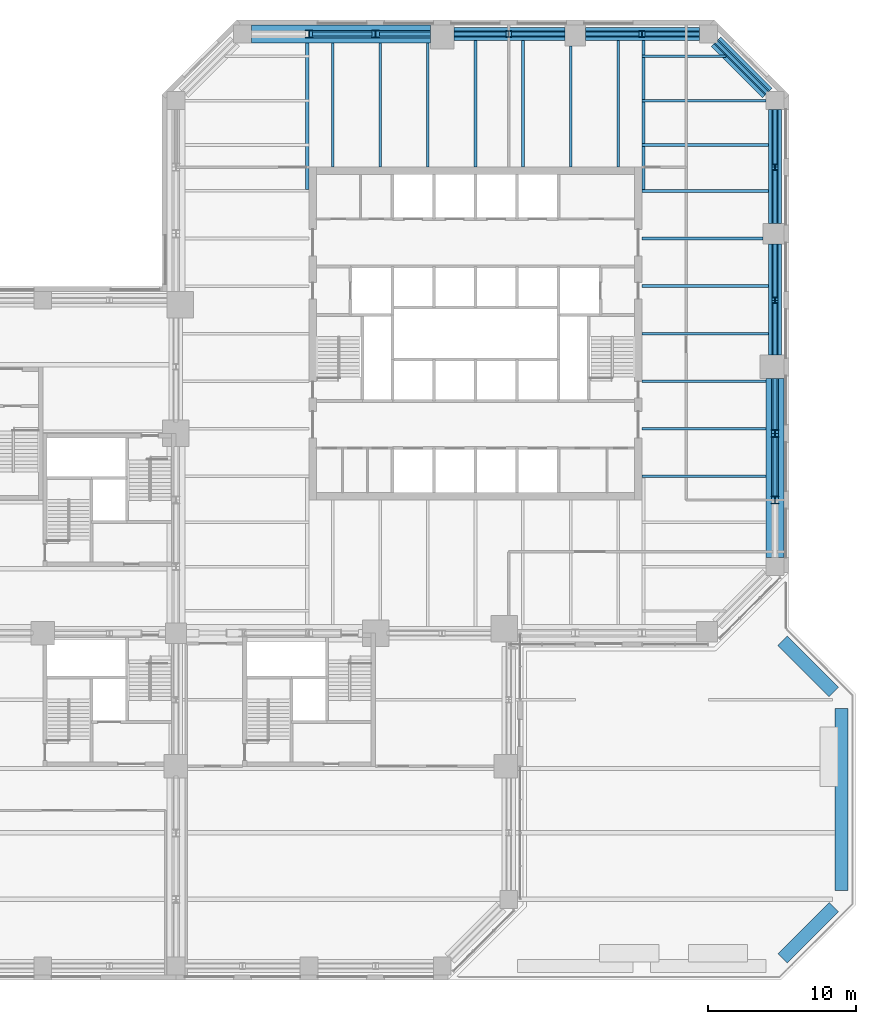
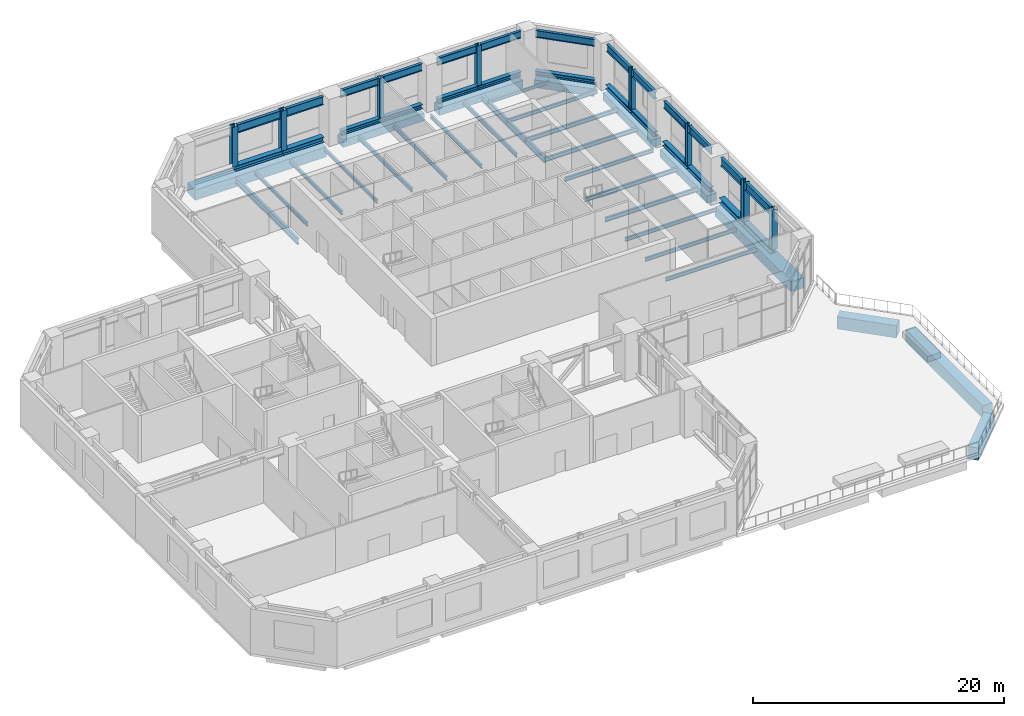
# One storey, part 9 of 21: 42 beams, 21 members.
"""IFC4 building model written with IfcOpenShell, lengths in metres."""

from ifc_helpers import new_model, si_unit, direction, frame, origin, origin_2d, place, context, subcontext, project, spatial, rectangle, i_section, extrude, material, material_profile, profile_set, type_object, element, save


model = new_model("IFC4")

# Units and contexts
model_context = context("Model", 3, precision=1e-05, world=origin(), true_north=direction((0.0, 1.0)))
body_context = subcontext(model_context, "Body", "Model", "MODEL_VIEW")
ifc_project = project(units=[si_unit("LENGTHUNIT", "METRE"), si_unit("AREAUNIT", "SQUARE_METRE"), si_unit("VOLUMEUNIT", "CUBIC_METRE"), si_unit("PLANEANGLEUNIT", "RADIAN"), si_unit("MASSUNIT", "GRAM", prefix="KILO")], contexts=[model_context])

# Site, building, storey
site_placement = place(None, origin())
site = spatial("IfcSite", under=ifc_project, at=site_placement, CompositionType="ELEMENT")
building_placement = place(site_placement, origin())
building = spatial("IfcBuilding", under=site, at=building_placement, Name="Quoin Convention Tower", CompositionType="ELEMENT")
storey_placement = place(building_placement, frame((0.0, 0.0, 18.5)))
storey = spatial("IfcBuildingStorey", under=building, at=storey_placement, Name="L03", CompositionType="ELEMENT", Elevation=18.5)

# Beams
ifc_material_1 = material(Name="Steel Grade 300", Category="steel")
ifc_material_profile_1 = material_profile(ifc_material_1, i_section(OverallWidth=0.14892578125, OverallDepth=0.298095703125, WebThickness=0.005615234375, FlangeThickness=0.008056640625, FilletRadius=0.012939453125, at=origin_2d()), Name="310UB32.0")
ifc_profile_set_1 = profile_set([ifc_material_profile_1], Name="Steel Grade 300")
beam_type_1 = type_object("IfcBeamType", Name="310UB32.0", PredefinedType="BEAM", material=ifc_profile_set_1)
beam_1_placement = place(storey_placement, frame((67.5, 79.5, -0.368896484375), z_axis=(1.0, 0.0, 0.0), x_axis=(0.0, 1.0, 0.0)))
element("IfcBeam", 1, at=beam_1_placement, inside=storey, type_object=beam_type_1, Name="bm-L03-T1NE0", PredefinedType="BEAM", context=body_context, shape_type="SweptSolid", body=[
    extrude(i_section(OverallWidth=0.14892578125, OverallDepth=0.298095703125, WebThickness=0.005615234375, FlangeThickness=0.008056640625, FilletRadius=0.012939453125, at=origin_2d()), origin(), (0.0, 0.0, 1.0), 5.68017578125),
])
ifc_material_profile_2 = material_profile(ifc_material_1, i_section(OverallWidth=0.1708984375, OverallDepth=0.35205078125, WebThickness=0.0068359375, FlangeThickness=0.009765625, FilletRadius=0.011474609375, at=origin_2d()), Name="360UB44.7")
ifc_profile_set_2 = profile_set([ifc_material_profile_2], Name="Steel Grade 300")
beam_type_2 = type_object("IfcBeamType", Name="360UB44.7", PredefinedType="BEAM", material=ifc_profile_set_2)
for number, where, z_axis, x_axis, name in (
    (2, (67.5, 51.107177734375, -0.39599609375), (1.0, 0.0, 0.0), (0.0, 1.0, 0.0), "bm-L03-T1E0"),
    (3, (67.5, 54.3212890625, -0.39599609375), (1.0, 0.0, 0.0), (0.0, 1.0, 0.0), "bm-L03-T1E1"),
    (4, (67.5, 57.53564453125, -0.39599609375), (1.0, 0.0, 0.0), (0.0, 1.0, 0.0), "bm-L03-T1E2"),
):
    element("IfcBeam", number, at=place(storey_placement, frame(where, z_axis=z_axis, x_axis=x_axis)), inside=storey, type_object=beam_type_2, Name=name, PredefinedType="BEAM", context=body_context, shape_type="SweptSolid", body=[
        extrude(i_section(OverallWidth=0.1708984375, OverallDepth=0.35205078125, WebThickness=0.0068359375, FlangeThickness=0.009765625, FilletRadius=0.011474609375, at=origin_2d()), origin(), (0.0, 0.0, 1.0), 8.39990234375),
    ])
beam_2_placement = place(storey_placement, frame((67.5, 67.1787109375, -0.39599609375), z_axis=(1.0, 0.0, 0.0), x_axis=(0.0, 1.0, 0.0)))
element("IfcBeam", 5, at=beam_2_placement, inside=storey, type_object=beam_type_2, Name="bm-L03-T1E5", PredefinedType="BEAM", context=body_context, shape_type="SweptSolid", body=[
    extrude(i_section(OverallWidth=0.1708984375, OverallDepth=0.35205078125, WebThickness=0.0068359375, FlangeThickness=0.009765625, FilletRadius=0.011474609375, at=origin_2d()), origin(), (0.0, 0.0, 1.0), 8.199951171875),
])
for number, where, z_axis, x_axis, name in (
    (6, (46.607177734375, 72.0, -0.39599609375), (0.0, 1.0, 0.0), (-1.0, 0.0, 0.0), "bm-L03-T1N0"),
    (7, (49.8212890625, 72.0, -0.39599609375), (0.0, 1.0, 0.0), (-1.0, 0.0, 0.0), "bm-L03-T1N1"),
    (8, (53.03564453125, 72.0, -0.39599609375), (0.0, 1.0, 0.0), (-1.0, 0.0, 0.0), "bm-L03-T1N2"),
):
    element("IfcBeam", number, at=place(storey_placement, frame(where, z_axis=z_axis, x_axis=x_axis)), inside=storey, type_object=beam_type_2, Name=name, PredefinedType="BEAM", context=body_context, shape_type="SweptSolid", body=[
        extrude(i_section(OverallWidth=0.1708984375, OverallDepth=0.35205078125, WebThickness=0.0068359375, FlangeThickness=0.009765625, FilletRadius=0.011474609375, at=origin_2d()), origin(), (0.0, 0.0, 1.0), 8.39990234375),
    ])
beam_3_placement = place(storey_placement, frame((62.6787109375, 72.0, -0.39599609375), z_axis=(0.0, 1.0, 0.0), x_axis=(-1.0, 0.0, 0.0)))
element("IfcBeam", 9, at=beam_3_placement, inside=storey, type_object=beam_type_2, Name="bm-L03-T1N5", PredefinedType="BEAM", context=body_context, shape_type="SweptSolid", body=[
    extrude(i_section(OverallWidth=0.1708984375, OverallDepth=0.35205078125, WebThickness=0.0068359375, FlangeThickness=0.009765625, FilletRadius=0.011474609375, at=origin_2d()), origin(), (0.0, 0.0, 1.0), 8.199951171875),
])
beam_4_placement = place(storey_placement, frame((67.5, 76.5, -0.39599609375), z_axis=(1.0, 0.0, 0.0), x_axis=(0.0, 1.0, 0.0)))
element("IfcBeam", 10, at=beam_4_placement, inside=storey, type_object=beam_type_2, Name="bm-L03-T1NE1", PredefinedType="BEAM", context=body_context, shape_type="SweptSolid", body=[
    extrude(i_section(OverallWidth=0.1708984375, OverallDepth=0.35205078125, WebThickness=0.0068359375, FlangeThickness=0.009765625, FilletRadius=0.011474609375, at=origin_2d()), origin(), (0.0, 0.0, 1.0), 8.39990234375),
])

# Members
ifc_material_profile_3 = material_profile(ifc_material_1, i_section(OverallWidth=0.39990234375, OverallDepth=0.422119140625, WebThickness=0.028076171875, FlangeThickness=0.035888671875, at=origin_2d()), Name="400WC303")
ifc_profile_set_3 = profile_set([ifc_material_profile_3], Name="Steel Grade 300")
member_type_1 = type_object("IfcMemberType", Name="400WC303", PredefinedType="CHORD", material=ifc_profile_set_3)
member_1_placement = place(storey_placement, frame((76.5, 59.300048828125, 0.257080078125), z_axis=(0.0, 1.0, 0.0), x_axis=(-1.0, 0.0, 0.0)))
element("IfcMember", 11, at=member_1_placement, inside=storey, type_object=member_type_1, Name="Transfer girder L03 bottom chord 76500_58500-76500_63000", PredefinedType="CHORD", context=body_context, shape_type="SweptSolid", body=[
    extrude(i_section(OverallWidth=0.39990234375, OverallDepth=0.422119140625, WebThickness=0.028076171875, FlangeThickness=0.035888671875, at=origin_2d()), origin(), (0.0, 0.0, 1.0), 3.699951171875),
])
for number, where, z_axis, x_axis, name in (
    (12, (76.5, 63.0, 0.257080078125), (0.0, 1.0, 0.0), (-1.0, 0.0, 0.0), "Transfer girder L03 bottom chord 76500_63000-76500_67500"),
    (13, (76.5, 68.199951171875, 0.257080078125), (0.0, 1.0, 0.0), (-1.0, 0.0, 0.0), "Transfer girder L03 bottom chord 76500_67500-76500_72000"),
):
    element("IfcMember", number, at=place(storey_placement, frame(where, z_axis=z_axis, x_axis=x_axis)), inside=storey, type_object=member_type_1, Name=name, PredefinedType="CHORD", context=body_context, shape_type="SweptSolid", body=[
        extrude(i_section(OverallWidth=0.39990234375, OverallDepth=0.422119140625, WebThickness=0.028076171875, FlangeThickness=0.035888671875, at=origin_2d()), origin(), (0.0, 0.0, 1.0), 3.800048828125),
    ])
member_2_placement = place(storey_placement, frame((76.5, 72.0, 0.257080078125), z_axis=(0.0, 1.0, 0.0), x_axis=(-1.0, 0.0, 0.0)))
element("IfcMember", 14, at=member_2_placement, inside=storey, type_object=member_type_1, Name="Transfer girder L03 bottom chord 76500_72000-76500_76500", PredefinedType="CHORD", context=body_context, shape_type="SweptSolid", body=[
    extrude(i_section(OverallWidth=0.39990234375, OverallDepth=0.422119140625, WebThickness=0.028076171875, FlangeThickness=0.035888671875, at=origin_2d()), origin(), (0.0, 0.0, 1.0), 3.89990234375),
])
member_3_placement = place(storey_placement, frame((75.98486328125, 77.01513671875, 0.257080078125), z_axis=(-0.707106781187, 0.707106781187, 0.0), x_axis=(-0.707106781187, -0.707106781187, 0.0)))
element("IfcMember", 15, at=member_3_placement, inside=storey, type_object=member_type_1, Name="Transfer girder L03 bottom chord 76500_76500-72000_81000", PredefinedType="CHORD", context=body_context, shape_type="SweptSolid", body=[
    extrude(i_section(OverallWidth=0.39990234375, OverallDepth=0.422119140625, WebThickness=0.028076171875, FlangeThickness=0.035888671875, at=origin_2d()), origin(), (0.0, 0.0, 1.0), 4.906982421875),
])
member_4_placement = place(storey_placement, frame((71.39990234375, 81.0, 0.257080078125), z_axis=(-1.0, 0.0, 0.0), x_axis=(0.0, -1.0, 0.0)))
element("IfcMember", 16, at=member_4_placement, inside=storey, type_object=member_type_1, Name="Transfer girder L03 bottom chord 72000_81000-67500_81000", PredefinedType="CHORD", context=body_context, shape_type="SweptSolid", body=[
    extrude(i_section(OverallWidth=0.39990234375, OverallDepth=0.422119140625, WebThickness=0.028076171875, FlangeThickness=0.035888671875, at=origin_2d()), origin(), (0.0, 0.0, 1.0), 3.89990234375),
])
for number, where, z_axis, x_axis, name in (
    (17, (67.5, 81.0, 0.257080078125), (-1.0, 0.0, 0.0), (0.0, -1.0, 0.0), "Transfer girder L03 bottom chord 67500_81000-63000_81000"),
    (18, (62.300048828125, 81.0, 0.257080078125), (-1.0, 0.0, 0.0), (0.0, -1.0, 0.0), "Transfer girder L03 bottom chord 63000_81000-58500_81000"),
):
    element("IfcMember", number, at=place(storey_placement, frame(where, z_axis=z_axis, x_axis=x_axis)), inside=storey, type_object=member_type_1, Name=name, PredefinedType="CHORD", context=body_context, shape_type="SweptSolid", body=[
        extrude(i_section(OverallWidth=0.39990234375, OverallDepth=0.422119140625, WebThickness=0.028076171875, FlangeThickness=0.035888671875, at=origin_2d()), origin(), (0.0, 0.0, 1.0), 3.800048828125),
    ])
member_5_placement = place(storey_placement, frame((58.5, 81.0, 0.257080078125), z_axis=(-1.0, 0.0, 0.0), x_axis=(0.0, -1.0, 0.0)))
element("IfcMember", 19, at=member_5_placement, inside=storey, type_object=member_type_1, Name="Transfer girder L03 bottom chord 58500_81000-54000_81000", PredefinedType="CHORD", context=body_context, shape_type="SweptSolid", body=[
    extrude(i_section(OverallWidth=0.39990234375, OverallDepth=0.422119140625, WebThickness=0.028076171875, FlangeThickness=0.035888671875, at=origin_2d()), origin(), (0.0, 0.0, 1.0), 3.699951171875),
])
ifc_material_profile_4 = material_profile(ifc_material_1, i_section(OverallWidth=0.39990234375, OverallDepth=0.422119140625, WebThickness=0.028076171875, FlangeThickness=0.035888671875, at=origin_2d()), Name="400WC303")
ifc_profile_set_4 = profile_set([ifc_material_profile_4], Name="Steel Grade 300")
member_type_2 = type_object("IfcMemberType", Name="400WC303 transfer post", PredefinedType="POST", material=ifc_profile_set_4)
for number, where, z_axis, x_axis, name in (
    (20, (76.5, 63.0, 0.513916015625), (0.0, 0.0, 1.0), (1.0, 0.0, 0.0), "Transfer girder L03 post 76500_63000"),
    (21, (76.5, 72.0, 0.513916015625), (0.0, 0.0, 1.0), (1.0, 0.0, 0.0), "Transfer girder L03 post 76500_72000"),
    (22, (67.5, 81.0, 0.513916015625), (0.0, 0.0, 1.0), (1.0, 0.0, 0.0), "Transfer girder L03 post 67500_81000"),
    (23, (58.5, 81.0, 0.513916015625), (0.0, 0.0, 1.0), (1.0, 0.0, 0.0), "Transfer girder L03 post 58500_81000"),
):
    element("IfcMember", number, at=place(storey_placement, frame(where, z_axis=z_axis, x_axis=x_axis)), inside=storey, type_object=member_type_2, Name=name, PredefinedType="POST", context=body_context, shape_type="SweptSolid", body=[
        extrude(i_section(OverallWidth=0.39990234375, OverallDepth=0.422119140625, WebThickness=0.028076171875, FlangeThickness=0.035888671875, at=origin_2d()), origin(), (0.0, 0.0, 1.0), 3.865966796875),
    ])

# Beams
ifc_material_profile_5 = material_profile(ifc_material_1, i_section(OverallWidth=0.177978515625, OverallDepth=0.403076171875, WebThickness=0.007568359375, FlangeThickness=0.010986328125, FilletRadius=0.011474609375, at=origin_2d()), Name="410UB53.7")
ifc_profile_set_5 = profile_set([ifc_material_profile_5], Name="Steel Grade 300")
beam_type_3 = type_object("IfcBeamType", Name="410UB53.7", PredefinedType="BEAM", material=ifc_profile_set_5)
for number, where, z_axis, x_axis, name in (
    (24, (67.5, 60.75, -0.42138671875), (1.0, 0.0, 0.0), (0.0, 1.0, 0.0), "bm-L03-T1E3"),
    (25, (67.5, 63.96435546875, -0.42138671875), (1.0, 0.0, 0.0), (0.0, 1.0, 0.0), "bm-L03-T1E4"),
    (26, (67.5, 70.392822265625, -0.42138671875), (1.0, 0.0, 0.0), (0.0, 1.0, 0.0), "bm-L03-T1E6"),
    (27, (56.25, 72.0, -0.42138671875), (0.0, 1.0, 0.0), (-1.0, 0.0, 0.0), "bm-L03-T1N3"),
    (28, (59.46435546875, 72.0, -0.42138671875), (0.0, 1.0, 0.0), (-1.0, 0.0, 0.0), "bm-L03-T1N4"),
    (29, (65.892822265625, 72.0, -0.42138671875), (0.0, 1.0, 0.0), (-1.0, 0.0, 0.0), "bm-L03-T1N6"),
    (30, (67.5, 73.5, -0.42138671875), (1.0, 0.0, 0.0), (0.0, 1.0, 0.0), "bm-L03-T1NE2"),
):
    element("IfcBeam", number, at=place(storey_placement, frame(where, z_axis=z_axis, x_axis=x_axis)), inside=storey, type_object=beam_type_3, Name=name, PredefinedType="BEAM", context=body_context, shape_type="SweptSolid", body=[
        extrude(i_section(OverallWidth=0.177978515625, OverallDepth=0.403076171875, WebThickness=0.007568359375, FlangeThickness=0.010986328125, FilletRadius=0.011474609375, at=origin_2d()), origin(), (0.0, 0.0, 1.0), 8.550048828125),
    ])

# Members
ifc_material_profile_6 = material_profile(ifc_material_1, i_section(OverallWidth=0.5, OverallDepth=0.513916015625, WebThickness=0.02490234375, FlangeThickness=0.031982421875, at=origin_2d()), Name="500WC340")
ifc_profile_set_6 = profile_set([ifc_material_profile_6], Name="Steel Grade 300")
member_type_3 = type_object("IfcMemberType", Name="500WC340", PredefinedType="CHORD", material=ifc_profile_set_6)
member_6_placement = place(storey_placement, frame((76.5, 49.5, 0.257080078125), z_axis=(0.0, 1.0, 0.0), x_axis=(-1.0, 0.0, 0.0)))
element("IfcMember", 31, at=member_6_placement, inside=storey, type_object=member_type_3, Name="Transfer girder L03 bottom chord 76500_49500-76500_54000", PredefinedType="CHORD", context=body_context, shape_type="SweptSolid", body=[
    extrude(i_section(OverallWidth=0.5, OverallDepth=0.513916015625, WebThickness=0.02490234375, FlangeThickness=0.031982421875, at=origin_2d()), origin(), (0.0, 0.0, 1.0), 4.5),
])
for number, where, z_axis, x_axis, name in (
    (32, (76.5, 54.0, 0.257080078125), (0.0, 1.0, 0.0), (-1.0, 0.0, 0.0), "Transfer girder L03 bottom chord 76500_54000-76500_58500"),
    (33, (53.199951171875, 81.0, 0.257080078125), (-1.0, 0.0, 0.0), (0.0, -1.0, 0.0), "Transfer girder L03 bottom chord 54000_81000-49500_81000"),
):
    element("IfcMember", number, at=place(storey_placement, frame(where, z_axis=z_axis, x_axis=x_axis)), inside=storey, type_object=member_type_3, Name=name, PredefinedType="CHORD", context=body_context, shape_type="SweptSolid", body=[
        extrude(i_section(OverallWidth=0.5, OverallDepth=0.513916015625, WebThickness=0.02490234375, FlangeThickness=0.031982421875, at=origin_2d()), origin(), (0.0, 0.0, 1.0), 3.699951171875),
    ])
member_7_placement = place(storey_placement, frame((49.5, 81.0, 0.257080078125), z_axis=(-1.0, 0.0, 0.0), x_axis=(0.0, -1.0, 0.0)))
element("IfcMember", 34, at=member_7_placement, inside=storey, type_object=member_type_3, Name="Transfer girder L03 bottom chord 49500_81000-45000_81000", PredefinedType="CHORD", context=body_context, shape_type="SweptSolid", body=[
    extrude(i_section(OverallWidth=0.5, OverallDepth=0.513916015625, WebThickness=0.02490234375, FlangeThickness=0.031982421875, at=origin_2d()), origin(), (0.0, 0.0, 1.0), 4.5),
])
ifc_material_profile_7 = material_profile(ifc_material_1, i_section(OverallWidth=0.5, OverallDepth=0.513916015625, WebThickness=0.02490234375, FlangeThickness=0.031982421875, at=origin_2d()), Name="500WC340")
ifc_profile_set_7 = profile_set([ifc_material_profile_7], Name="Steel Grade 300")
member_type_4 = type_object("IfcMemberType", Name="500WC340 transfer post", PredefinedType="POST", material=ifc_profile_set_7)
for number, where, z_axis, x_axis, name in (
    (35, (76.5, 49.5, 0.513916015625), (0.0, 0.0, 1.0), (1.0, 0.0, 0.0), "Transfer girder L03 post 76500_49500"),
    (36, (76.5, 54.0, 0.513916015625), (0.0, 0.0, 1.0), (1.0, 0.0, 0.0), "Transfer girder L03 post 76500_54000"),
    (37, (49.5, 81.0, 0.513916015625), (0.0, 0.0, 1.0), (1.0, 0.0, 0.0), "Transfer girder L03 post 49500_81000"),
    (38, (45.0, 81.0, 0.513916015625), (0.0, 0.0, 1.0), (1.0, 0.0, 0.0), "Transfer girder L03 post 45000_81000"),
):
    element("IfcMember", number, at=place(storey_placement, frame(where, z_axis=z_axis, x_axis=x_axis)), inside=storey, type_object=member_type_4, Name=name, PredefinedType="POST", context=body_context, shape_type="SweptSolid", body=[
        extrude(i_section(OverallWidth=0.5, OverallDepth=0.513916015625, WebThickness=0.02490234375, FlangeThickness=0.031982421875, at=origin_2d()), origin(), (0.0, 0.0, 1.0), 3.865966796875),
    ])

# Beams
ifc_material_profile_8 = material_profile(ifc_material_1, i_section(OverallWidth=0.22802734375, OverallDepth=0.60205078125, WebThickness=0.010498046875, FlangeThickness=0.014892578125, FilletRadius=0.013916015625, at=origin_2d()), Name="610UB101")
ifc_profile_set_8 = profile_set([ifc_material_profile_8], Name="Steel Grade 300")
beam_type_4 = type_object("IfcBeamType", Name="610UB101", PredefinedType="BEAM", material=ifc_profile_set_8)
beam_5_placement = place(storey_placement, frame((44.885986328125, 80.39990234375, -0.52099609375), z_axis=(0.0, -1.0, 0.0), x_axis=(1.0, 0.0, 0.0)))
element("IfcBeam", 39, at=beam_5_placement, inside=storey, type_object=beam_type_4, Name="gir-L03-T1NW", PredefinedType="BEAM", context=body_context, shape_type="SweptSolid", body=[
    extrude(i_section(OverallWidth=0.22802734375, OverallDepth=0.60205078125, WebThickness=0.010498046875, FlangeThickness=0.014892578125, FilletRadius=0.013916015625, at=origin_2d()), origin(), (0.0, 0.0, 1.0), 9.902587890625),
])
beam_6_placement = place(storey_placement, frame((67.614013671875, 80.550048828125, -0.52099609375), z_axis=(0.0, -1.0, 0.0), x_axis=(1.0, 0.0, 0.0)))
element("IfcBeam", 40, at=beam_6_placement, inside=storey, type_object=beam_type_4, Name="gir-L03-T1NE", PredefinedType="BEAM", context=body_context, shape_type="SweptSolid", body=[
    extrude(i_section(OverallWidth=0.22802734375, OverallDepth=0.60205078125, WebThickness=0.010498046875, FlangeThickness=0.014892578125, FilletRadius=0.013916015625, at=origin_2d()), origin(), (0.0, 0.0, 1.0), 10.052734375),
])
ifc_material_profile_9 = material_profile(ifc_material_1, i_section(OverallWidth=0.25, OverallDepth=0.699951171875, WebThickness=0.010009765625, FlangeThickness=0.02001953125, at=origin_2d()), Name="700WB130")
ifc_profile_set_9 = profile_set([ifc_material_profile_9], Name="Steel Grade 300")
beam_type_5 = type_object("IfcBeamType", Name="700WB130", PredefinedType="BEAM", material=ifc_profile_set_9)
beam_7_placement = place(storey_placement, frame((76.5, 59.300048828125, 4.030029296875), z_axis=(0.0, 1.0, 0.0), x_axis=(-1.0, 0.0, 0.0)))
element("IfcBeam", 41, at=beam_7_placement, inside=storey, type_object=beam_type_5, Name="Transfer girder L03 top chord 76500_58500-76500_63000", PredefinedType="BEAM", context=body_context, shape_type="SweptSolid", body=[
    extrude(i_section(OverallWidth=0.25, OverallDepth=0.699951171875, WebThickness=0.010009765625, FlangeThickness=0.02001953125, at=origin_2d()), origin(), (0.0, 0.0, 1.0), 3.5),
])
for number, where, z_axis, x_axis, name in (
    (42, (76.5, 63.199951171875, 4.030029296875), (0.0, 1.0, 0.0), (-1.0, 0.0, 0.0), "Transfer girder L03 top chord 76500_63000-76500_67500"),
    (43, (76.5, 68.199951171875, 4.030029296875), (0.0, 1.0, 0.0), (-1.0, 0.0, 0.0), "Transfer girder L03 top chord 76500_67500-76500_72000"),
):
    element("IfcBeam", number, at=place(storey_placement, frame(where, z_axis=z_axis, x_axis=x_axis)), inside=storey, type_object=beam_type_5, Name=name, PredefinedType="BEAM", context=body_context, shape_type="SweptSolid", body=[
        extrude(i_section(OverallWidth=0.25, OverallDepth=0.699951171875, WebThickness=0.010009765625, FlangeThickness=0.02001953125, at=origin_2d()), origin(), (0.0, 0.0, 1.0), 3.60009765625),
    ])
beam_8_placement = place(storey_placement, frame((76.5, 72.199951171875, 4.030029296875), z_axis=(0.0, 1.0, 0.0), x_axis=(-1.0, 0.0, 0.0)))
element("IfcBeam", 44, at=beam_8_placement, inside=storey, type_object=beam_type_5, Name="Transfer girder L03 top chord 76500_72000-76500_76500", PredefinedType="BEAM", context=body_context, shape_type="SweptSolid", body=[
    extrude(i_section(OverallWidth=0.25, OverallDepth=0.699951171875, WebThickness=0.010009765625, FlangeThickness=0.02001953125, at=origin_2d()), origin(), (0.0, 0.0, 1.0), 3.699951171875),
])
beam_9_placement = place(storey_placement, frame((75.98486328125, 77.01513671875, 4.030029296875), z_axis=(-0.707106781187, 0.707106781187, 0.0), x_axis=(-0.707106781187, -0.707106781187, 0.0)))
element("IfcBeam", 45, at=beam_9_placement, inside=storey, type_object=beam_type_5, Name="Transfer girder L03 top chord 76500_76500-72000_81000", PredefinedType="BEAM", context=body_context, shape_type="SweptSolid", body=[
    extrude(i_section(OverallWidth=0.25, OverallDepth=0.699951171875, WebThickness=0.010009765625, FlangeThickness=0.02001953125, at=origin_2d()), origin(), (0.0, 0.0, 1.0), 4.906982421875),
])
beam_10_placement = place(storey_placement, frame((71.39990234375, 81.0, 4.030029296875), z_axis=(-1.0, 0.0, 0.0), x_axis=(0.0, -1.0, 0.0)))
element("IfcBeam", 46, at=beam_10_placement, inside=storey, type_object=beam_type_5, Name="Transfer girder L03 top chord 72000_81000-67500_81000", PredefinedType="BEAM", context=body_context, shape_type="SweptSolid", body=[
    extrude(i_section(OverallWidth=0.25, OverallDepth=0.699951171875, WebThickness=0.010009765625, FlangeThickness=0.02001953125, at=origin_2d()), origin(), (0.0, 0.0, 1.0), 3.699951171875),
])
for number, where, z_axis, x_axis, name in (
    (47, (67.300048828125, 81.0, 4.030029296875), (-1.0, 0.0, 0.0), (0.0, -1.0, 0.0), "Transfer girder L03 top chord 67500_81000-63000_81000"),
    (48, (62.300048828125, 81.0, 4.030029296875), (-1.0, 0.0, 0.0), (0.0, -1.0, 0.0), "Transfer girder L03 top chord 63000_81000-58500_81000"),
):
    element("IfcBeam", number, at=place(storey_placement, frame(where, z_axis=z_axis, x_axis=x_axis)), inside=storey, type_object=beam_type_5, Name=name, PredefinedType="BEAM", context=body_context, shape_type="SweptSolid", body=[
        extrude(i_section(OverallWidth=0.25, OverallDepth=0.699951171875, WebThickness=0.010009765625, FlangeThickness=0.02001953125, at=origin_2d()), origin(), (0.0, 0.0, 1.0), 3.60009765625),
    ])
beam_11_placement = place(storey_placement, frame((58.300048828125, 81.0, 4.030029296875), z_axis=(-1.0, 0.0, 0.0), x_axis=(0.0, -1.0, 0.0)))
element("IfcBeam", 49, at=beam_11_placement, inside=storey, type_object=beam_type_5, Name="Transfer girder L03 top chord 58500_81000-54000_81000", PredefinedType="BEAM", context=body_context, shape_type="SweptSolid", body=[
    extrude(i_section(OverallWidth=0.25, OverallDepth=0.699951171875, WebThickness=0.010009765625, FlangeThickness=0.02001953125, at=origin_2d()), origin(), (0.0, 0.0, 1.0), 3.5),
])
ifc_material_profile_10 = material_profile(ifc_material_1, i_section(OverallWidth=0.27490234375, OverallDepth=0.800048828125, WebThickness=0.010009765625, FlangeThickness=0.02001953125, at=origin_2d()), Name="800WB146")
ifc_profile_set_10 = profile_set([ifc_material_profile_10], Name="Steel Grade 300")
beam_type_6 = type_object("IfcBeamType", Name="800WB146", PredefinedType="BEAM", material=ifc_profile_set_10)
beam_12_placement = place(storey_placement, frame((76.5, 49.75, 3.97998046875), z_axis=(0.0, 1.0, 0.0), x_axis=(-1.0, 0.0, 0.0)))
element("IfcBeam", 50, at=beam_12_placement, inside=storey, type_object=beam_type_6, Name="Transfer girder L03 top chord 76500_49500-76500_54000", PredefinedType="BEAM", context=body_context, shape_type="SweptSolid", body=[
    extrude(i_section(OverallWidth=0.27490234375, OverallDepth=0.800048828125, WebThickness=0.010009765625, FlangeThickness=0.02001953125, at=origin_2d()), origin(), (0.0, 0.0, 1.0), 4.0),
])
for number, where, z_axis, x_axis, name in (
    (51, (76.5, 54.25, 3.97998046875), (0.0, 1.0, 0.0), (-1.0, 0.0, 0.0), "Transfer girder L03 top chord 76500_54000-76500_58500"),
    (52, (53.199951171875, 81.0, 3.97998046875), (-1.0, 0.0, 0.0), (0.0, -1.0, 0.0), "Transfer girder L03 top chord 54000_81000-49500_81000"),
):
    element("IfcBeam", number, at=place(storey_placement, frame(where, z_axis=z_axis, x_axis=x_axis)), inside=storey, type_object=beam_type_6, Name=name, PredefinedType="BEAM", context=body_context, shape_type="SweptSolid", body=[
        extrude(i_section(OverallWidth=0.27490234375, OverallDepth=0.800048828125, WebThickness=0.010009765625, FlangeThickness=0.02001953125, at=origin_2d()), origin(), (0.0, 0.0, 1.0), 3.449951171875),
    ])
beam_13_placement = place(storey_placement, frame((49.25, 81.0, 3.97998046875), z_axis=(-1.0, 0.0, 0.0), x_axis=(0.0, -1.0, 0.0)))
element("IfcBeam", 53, at=beam_13_placement, inside=storey, type_object=beam_type_6, Name="Transfer girder L03 top chord 49500_81000-45000_81000", PredefinedType="BEAM", context=body_context, shape_type="SweptSolid", body=[
    extrude(i_section(OverallWidth=0.27490234375, OverallDepth=0.800048828125, WebThickness=0.010009765625, FlangeThickness=0.02001953125, at=origin_2d()), origin(), (0.0, 0.0, 1.0), 4.0),
])
ifc_material_2 = material(Name="Concrete C80", Category="concrete")
ifc_material_profile_11 = material_profile(ifc_material_2, rectangle(XDim=1.199951171875, YDim=1.0, at=origin_2d()), Name="RC 1200x1000")
ifc_profile_set_11 = profile_set([ifc_material_profile_11], Name="Concrete C80")
beam_type_7 = type_object("IfcBeamType", Name="RC 1200x1000 C80", PredefinedType="SPANDREL", material=ifc_profile_set_11)
for number, where, z_axis, x_axis, name in (
    (54, (76.5, 45.60009765625, -0.719970703125), (0.0, 1.0, 0.0), (-1.0, 0.0, 0.0), "spd-L03-76500_45000-76500_58500"),
    (55, (53.199951171875, 81.0, -0.719970703125), (-1.0, 0.0, 0.0), (0.0, -1.0, 0.0), "spd-L03-54000_81000-40500_81000"),
):
    element("IfcBeam", number, at=place(storey_placement, frame(where, z_axis=z_axis, x_axis=x_axis)), inside=storey, type_object=beam_type_7, Name=name, PredefinedType="SPANDREL", context=body_context, shape_type="SweptSolid", body=[
        extrude(rectangle(XDim=1.199951171875, YDim=1.0, at=origin_2d()), origin(), (0.0, 0.0, 1.0), 12.099853515625),
    ])
ifc_material_3 = material(Name="Concrete C100 (100 MPa)", Category="concrete")
ifc_material_profile_12 = material_profile(ifc_material_3, rectangle(XDim=0.89990234375, YDim=1.199951171875, at=origin_2d()), Name="RC 900x1200")
ifc_profile_set_12 = profile_set([ifc_material_profile_12], Name="Concrete C100 (100 MPa)")
beam_type_8 = type_object("IfcBeamType", Name="RC 900x1200 C100", PredefinedType="SPANDREL", material=ifc_profile_set_12)
beam_14_placement = place(storey_placement, frame((77.01513671875, 18.51513671875, -0.89990234375), z_axis=(0.707106781187, 0.707106781187, 0.0), x_axis=(-0.707106781187, 0.707106781187, 0.0)))
element("IfcBeam", 56, at=beam_14_placement, inside=storey, type_object=beam_type_8, Name="spd-L03-rf-76500_18000-81000_22500", PredefinedType="SPANDREL", context=body_context, shape_type="SweptSolid", body=[
    extrude(rectangle(XDim=0.89990234375, YDim=1.199951171875, at=origin_2d()), origin(), (0.0, 0.0, 1.0), 4.906982421875),
])
beam_15_placement = place(storey_placement, frame((81.0, 23.10009765625, -0.89990234375), z_axis=(0.0, 1.0, 0.0), x_axis=(-1.0, 0.0, 0.0)))
element("IfcBeam", 57, at=beam_15_placement, inside=storey, type_object=beam_type_8, Name="spd-L03-rf-81000_22500-81000_36000", PredefinedType="SPANDREL", context=body_context, shape_type="SweptSolid", body=[
    extrude(rectangle(XDim=0.89990234375, YDim=1.199951171875, at=origin_2d()), origin(), (0.0, 0.0, 1.0), 12.2998046875),
])
beam_16_placement = place(storey_placement, frame((80.48486328125, 36.51513671875, -0.89990234375), z_axis=(-0.707106781187, 0.707106781187, 0.0), x_axis=(-0.707106781187, -0.707106781187, 0.0)))
element("IfcBeam", 58, at=beam_16_placement, inside=storey, type_object=beam_type_8, Name="spd-L03-rf-81000_36000-76500_40500", PredefinedType="SPANDREL", context=body_context, shape_type="SweptSolid", body=[
    extrude(rectangle(XDim=0.89990234375, YDim=1.199951171875, at=origin_2d()), origin(), (0.0, 0.0, 1.0), 4.906982421875),
])
ifc_material_profile_13 = material_profile(ifc_material_2, rectangle(XDim=0.89990234375, YDim=0.75, at=origin_2d()), Name="RC 900x750")
ifc_profile_set_13 = profile_set([ifc_material_profile_13], Name="Concrete C80")
beam_type_9 = type_object("IfcBeamType", Name="RC 900x750 C80", PredefinedType="SPANDREL", material=ifc_profile_set_13)
beam_17_placement = place(storey_placement, frame((76.5, 59.300048828125, -0.594970703125), z_axis=(0.0, 1.0, 0.0), x_axis=(-1.0, 0.0, 0.0)))
element("IfcBeam", 59, at=beam_17_placement, inside=storey, type_object=beam_type_9, Name="spd-L03-76500_58500-76500_67500", PredefinedType="SPANDREL", context=body_context, shape_type="SweptSolid", body=[
    extrude(rectangle(XDim=0.89990234375, YDim=0.75, at=origin_2d()), origin(), (0.0, 0.0, 1.0), 7.5),
])
beam_18_placement = place(storey_placement, frame((76.5, 68.199951171875, -0.594970703125), z_axis=(0.0, 1.0, 0.0), x_axis=(-1.0, 0.0, 0.0)))
element("IfcBeam", 60, at=beam_18_placement, inside=storey, type_object=beam_type_9, Name="spd-L03-76500_67500-76500_76500", PredefinedType="SPANDREL", context=body_context, shape_type="SweptSolid", body=[
    extrude(rectangle(XDim=0.89990234375, YDim=0.75, at=origin_2d()), origin(), (0.0, 0.0, 1.0), 7.699951171875),
])
beam_19_placement = place(storey_placement, frame((75.98486328125, 77.01513671875, -0.594970703125), z_axis=(-0.707106781187, 0.707106781187, 0.0), x_axis=(-0.707106781187, -0.707106781187, 0.0)))
element("IfcBeam", 61, at=beam_19_placement, inside=storey, type_object=beam_type_9, Name="spd-L03-76500_76500-72000_81000", PredefinedType="SPANDREL", context=body_context, shape_type="SweptSolid", body=[
    extrude(rectangle(XDim=0.89990234375, YDim=0.75, at=origin_2d()), origin(), (0.0, 0.0, 1.0), 4.906982421875),
])
beam_20_placement = place(storey_placement, frame((71.39990234375, 81.0, -0.594970703125), z_axis=(-1.0, 0.0, 0.0), x_axis=(0.0, -1.0, 0.0)))
element("IfcBeam", 62, at=beam_20_placement, inside=storey, type_object=beam_type_9, Name="spd-L03-72000_81000-63000_81000", PredefinedType="SPANDREL", context=body_context, shape_type="SweptSolid", body=[
    extrude(rectangle(XDim=0.89990234375, YDim=0.75, at=origin_2d()), origin(), (0.0, 0.0, 1.0), 7.699951171875),
])
beam_21_placement = place(storey_placement, frame((62.300048828125, 81.0, -0.594970703125), z_axis=(-1.0, 0.0, 0.0), x_axis=(0.0, -1.0, 0.0)))
element("IfcBeam", 63, at=beam_21_placement, inside=storey, type_object=beam_type_9, Name="spd-L03-63000_81000-54000_81000", PredefinedType="SPANDREL", context=body_context, shape_type="SweptSolid", body=[
    extrude(rectangle(XDim=0.89990234375, YDim=0.75, at=origin_2d()), origin(), (0.0, 0.0, 1.0), 7.5),
])

save(model, "model.ifc")
